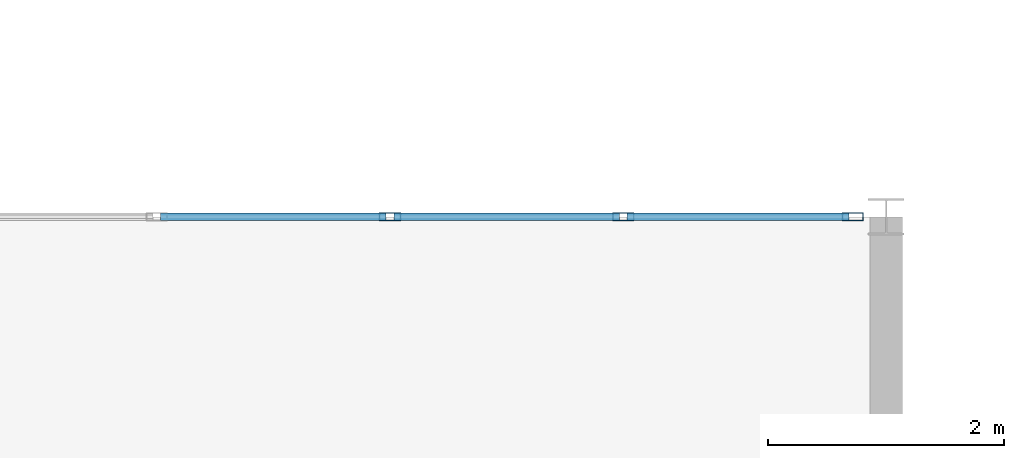
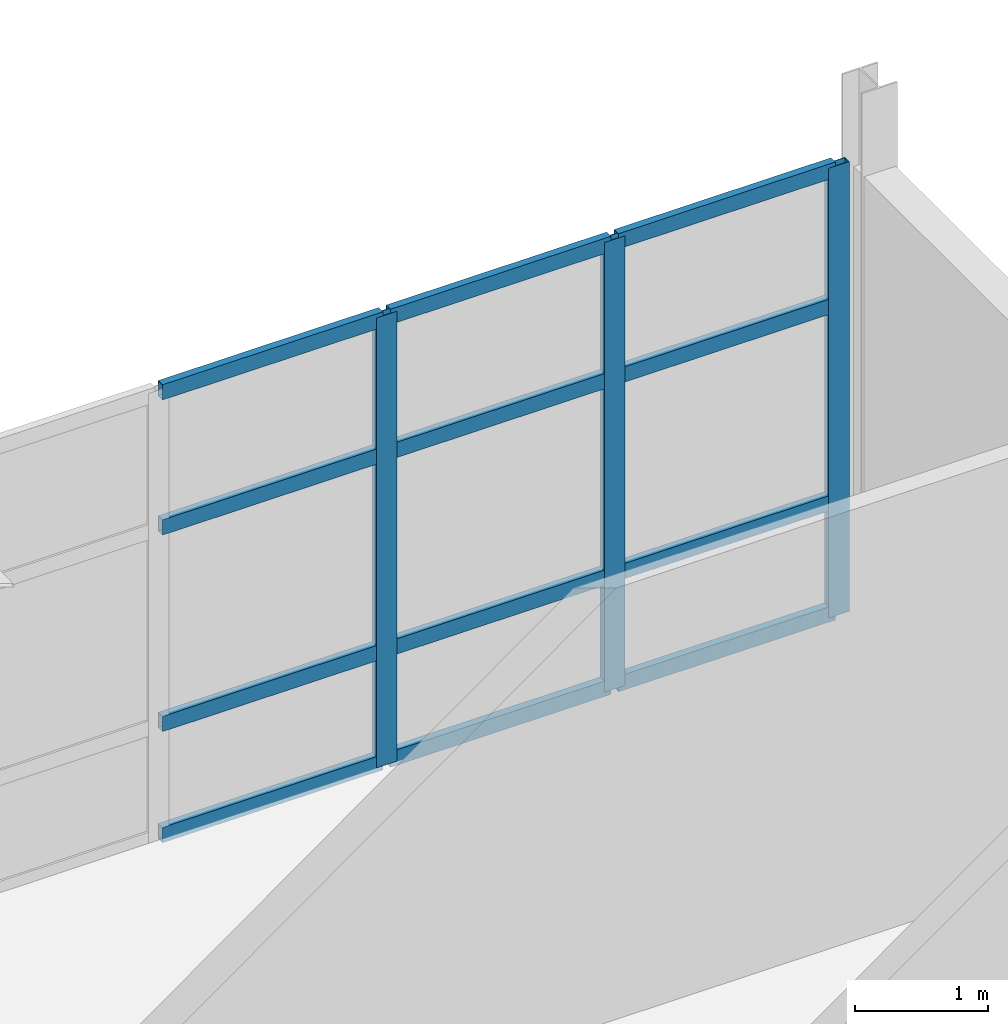
# One storey, part 51 of 105: 15 members, 1 element without a shape of its own.
"""IFC4 building model written with IfcOpenShell, lengths in metres."""

from ifc_helpers import new_model, si_unit, direction, frame, origin, origin_2d, place, context, subcontext, project, spatial, hollow_rectangle, extrude, material, layer, layer_set, material_profile, profile_set, type_object, element, aggregate, save


model = new_model("IFC4")

# Units and contexts
model_context = context("Model", 3, precision=1e-05, world=origin(), true_north=direction((0.0, 1.0)))
body_context = subcontext(model_context, "Body", "Model", "MODEL_VIEW")
ifc_project = project(units=[si_unit("LENGTHUNIT", "METRE"), si_unit("AREAUNIT", "SQUARE_METRE"), si_unit("VOLUMEUNIT", "CUBIC_METRE"), si_unit("PLANEANGLEUNIT", "RADIAN"), si_unit("MASSUNIT", "GRAM", prefix="KILO")], contexts=[model_context])

# Site, building, storey
site_placement = place(None, origin())
site = spatial("IfcSite", under=ifc_project, at=site_placement, CompositionType="ELEMENT")
building_placement = place(site_placement, origin())
building = spatial("IfcBuilding", under=site, at=building_placement, Name="Selat Folded Stagehouse", CompositionType="ELEMENT")
storey_placement = place(building_placement, frame((0.0, 0.0, 10.199951171875)))
storey = spatial("IfcBuildingStorey", under=building, at=storey_placement, Name="L02", CompositionType="ELEMENT", Elevation=10.199951171875)

# Curtain wall, members
ifc_material = material(Name="Aluminium 6063-T6", Category="aluminium")
ifc_layer = layer(ifc_material, 0.195068359375)
ifc_layer_set = layer_set([ifc_layer], Name="Aluminium 6063-T6")
curtain_wall_type = type_object("IfcCurtainWallType", Name="CW-FYR-COURT", PredefinedType="NOTDEFINED", material=ifc_layer_set)
curtain_wall_placement = place(storey_placement, origin())
curtain_wall = element("IfcCurtainWall", 1, at=curtain_wall_placement, inside=storey, type_object=curtain_wall_type, Name="L02 curtain wall CW-FYR-L02-13", PredefinedType="NOTDEFINED")
ifc_material_profile_1 = material_profile(ifc_material, hollow_rectangle(XDim=0.06494140625, YDim=0.179931640625, WallThickness=0.00390625, at=origin_2d()), Name="ALU 180x65x4.0")
ifc_profile_set_1 = profile_set([ifc_material_profile_1], Name="Aluminium 6063-T6")
member_type_1 = type_object("IfcMemberType", Name="CWM-MUL-180x65", PredefinedType="MULLION", material=ifc_profile_set_1)
member_1_placement = place(storey_placement, frame((113.39990234375, 17.800048828125, 0.0), z_axis=(0.0, 0.0, 1.0), x_axis=(0.0, 1.0, 0.0)))
member_1 = element("IfcMember", 2, at=member_1_placement, type_object=member_type_1, Name="CW-05 mullion 3", PredefinedType="MULLION", context=body_context, shape_type="SweptSolid", body=[
    extrude(hollow_rectangle(XDim=0.06494140625, YDim=0.179931640625, WallThickness=0.00390625, at=origin_2d()), origin(), (0.0, 0.0, 1.0), 4.1201171875),
])
member_2_placement = place(storey_placement, frame((115.375, 17.800048828125, 0.0), z_axis=(0.0, 0.0, 1.0), x_axis=(0.0, 1.0, 0.0)))
member_2 = element("IfcMember", 3, at=member_2_placement, type_object=member_type_1, Name="CW-05 mullion 4", PredefinedType="MULLION", context=body_context, shape_type="SweptSolid", body=[
    extrude(hollow_rectangle(XDim=0.06494140625, YDim=0.179931640625, WallThickness=0.00390625, at=origin_2d()), origin(), (0.0, 0.0, 1.0), 4.1201171875),
])
member_3_placement = place(storey_placement, frame((117.3173828125, 17.800048828125, 0.0), z_axis=(0.0, 0.0, 1.0), x_axis=(0.0, 1.0, 0.0)))
member_3 = element("IfcMember", 4, at=member_3_placement, type_object=member_type_1, Name="CW-05 mullion 5", PredefinedType="MULLION", context=body_context, shape_type="SweptSolid", body=[
    extrude(hollow_rectangle(XDim=0.06494140625, YDim=0.179931640625, WallThickness=0.00390625, at=origin_2d()), origin(), (0.0, 0.0, 1.0), 4.1201171875),
])
ifc_material_profile_2 = material_profile(ifc_material, hollow_rectangle(XDim=0.06494140625, YDim=0.139892578125, WallThickness=0.00390625, at=origin_2d()), Name="ALU 140x65x4.0")
ifc_profile_set_2 = profile_set([ifc_material_profile_2], Name="Aluminium 6063-T6")
member_type_2 = type_object("IfcMemberType", Name="CWM-TRN-140x65", PredefinedType="USERDEFINED", material=ifc_profile_set_2)
member_4_placement = place(storey_placement, frame((111.45751953125, 17.800048828125, 0.032470703125), z_axis=(1.0, 0.0, 0.0), x_axis=(0.0, 1.0, 0.0)))
member_4 = element("IfcMember", 5, at=member_4_placement, type_object=member_type_2, Name="CW-05 transom 2.1", ObjectType="TRANSOM", PredefinedType="USERDEFINED", context=body_context, shape_type="SweptSolid", body=[
    extrude(hollow_rectangle(XDim=0.06494140625, YDim=0.139892578125, WallThickness=0.00390625, at=origin_2d()), origin(), (0.0, 0.0, 1.0), 1.909912109375),
])
member_5_placement = place(storey_placement, frame((111.45751953125, 17.800048828125, 1.050048828125), z_axis=(1.0, 0.0, 0.0), x_axis=(0.0, 1.0, 0.0)))
member_5 = element("IfcMember", 6, at=member_5_placement, type_object=member_type_2, Name="CW-05 transom 2.2", ObjectType="TRANSOM", PredefinedType="USERDEFINED", context=body_context, shape_type="SweptSolid", body=[
    extrude(hollow_rectangle(XDim=0.06494140625, YDim=0.139892578125, WallThickness=0.00390625, at=origin_2d()), origin(), (0.0, 0.0, 1.0), 1.909912109375),
])
member_6_placement = place(storey_placement, frame((111.45751953125, 17.800048828125, 2.85009765625), z_axis=(1.0, 0.0, 0.0), x_axis=(0.0, 1.0, 0.0)))
member_6 = element("IfcMember", 7, at=member_6_placement, type_object=member_type_2, Name="CW-05 transom 2.3", ObjectType="TRANSOM", PredefinedType="USERDEFINED", context=body_context, shape_type="SweptSolid", body=[
    extrude(hollow_rectangle(XDim=0.06494140625, YDim=0.139892578125, WallThickness=0.00390625, at=origin_2d()), origin(), (0.0, 0.0, 1.0), 1.909912109375),
])
member_7_placement = place(storey_placement, frame((111.45751953125, 17.800048828125, 4.087646484375), z_axis=(1.0, 0.0, 0.0), x_axis=(0.0, 1.0, 0.0)))
member_7 = element("IfcMember", 8, at=member_7_placement, type_object=member_type_2, Name="CW-05 transom 2.4", ObjectType="TRANSOM", PredefinedType="USERDEFINED", context=body_context, shape_type="SweptSolid", body=[
    extrude(hollow_rectangle(XDim=0.06494140625, YDim=0.139892578125, WallThickness=0.00390625, at=origin_2d()), origin(), (0.0, 0.0, 1.0), 1.909912109375),
])
member_8_placement = place(storey_placement, frame((113.4326171875, 17.800048828125, 0.032470703125), z_axis=(1.0, 0.0, 0.0), x_axis=(0.0, 1.0, 0.0)))
member_8 = element("IfcMember", 9, at=member_8_placement, type_object=member_type_2, Name="CW-05 transom 3.1", ObjectType="TRANSOM", PredefinedType="USERDEFINED", context=body_context, shape_type="SweptSolid", body=[
    extrude(hollow_rectangle(XDim=0.06494140625, YDim=0.139892578125, WallThickness=0.00390625, at=origin_2d()), origin(), (0.0, 0.0, 1.0), 1.909912109375),
])
member_9_placement = place(storey_placement, frame((113.4326171875, 17.800048828125, 1.050048828125), z_axis=(1.0, 0.0, 0.0), x_axis=(0.0, 1.0, 0.0)))
member_9 = element("IfcMember", 10, at=member_9_placement, type_object=member_type_2, Name="CW-05 transom 3.2", ObjectType="TRANSOM", PredefinedType="USERDEFINED", context=body_context, shape_type="SweptSolid", body=[
    extrude(hollow_rectangle(XDim=0.06494140625, YDim=0.139892578125, WallThickness=0.00390625, at=origin_2d()), origin(), (0.0, 0.0, 1.0), 1.909912109375),
])
member_10_placement = place(storey_placement, frame((113.4326171875, 17.800048828125, 2.85009765625), z_axis=(1.0, 0.0, 0.0), x_axis=(0.0, 1.0, 0.0)))
member_10 = element("IfcMember", 11, at=member_10_placement, type_object=member_type_2, Name="CW-05 transom 3.3", ObjectType="TRANSOM", PredefinedType="USERDEFINED", context=body_context, shape_type="SweptSolid", body=[
    extrude(hollow_rectangle(XDim=0.06494140625, YDim=0.139892578125, WallThickness=0.00390625, at=origin_2d()), origin(), (0.0, 0.0, 1.0), 1.909912109375),
])
member_11_placement = place(storey_placement, frame((113.4326171875, 17.800048828125, 4.087646484375), z_axis=(1.0, 0.0, 0.0), x_axis=(0.0, 1.0, 0.0)))
member_11 = element("IfcMember", 12, at=member_11_placement, type_object=member_type_2, Name="CW-05 transom 3.4", ObjectType="TRANSOM", PredefinedType="USERDEFINED", context=body_context, shape_type="SweptSolid", body=[
    extrude(hollow_rectangle(XDim=0.06494140625, YDim=0.139892578125, WallThickness=0.00390625, at=origin_2d()), origin(), (0.0, 0.0, 1.0), 1.909912109375),
])
member_12_placement = place(storey_placement, frame((115.407470703125, 17.800048828125, 0.032470703125), z_axis=(1.0, 0.0, 0.0), x_axis=(0.0, 1.0, 0.0)))
member_12 = element("IfcMember", 13, at=member_12_placement, type_object=member_type_2, Name="CW-05 transom 4.1", ObjectType="TRANSOM", PredefinedType="USERDEFINED", context=body_context, shape_type="SweptSolid", body=[
    extrude(hollow_rectangle(XDim=0.06494140625, YDim=0.139892578125, WallThickness=0.00390625, at=origin_2d()), origin(), (0.0, 0.0, 1.0), 1.87744140625),
])
member_13_placement = place(storey_placement, frame((115.407470703125, 17.800048828125, 1.050048828125), z_axis=(1.0, 0.0, 0.0), x_axis=(0.0, 1.0, 0.0)))
member_13 = element("IfcMember", 14, at=member_13_placement, type_object=member_type_2, Name="CW-05 transom 4.2", ObjectType="TRANSOM", PredefinedType="USERDEFINED", context=body_context, shape_type="SweptSolid", body=[
    extrude(hollow_rectangle(XDim=0.06494140625, YDim=0.139892578125, WallThickness=0.00390625, at=origin_2d()), origin(), (0.0, 0.0, 1.0), 1.87744140625),
])
member_14_placement = place(storey_placement, frame((115.407470703125, 17.800048828125, 2.85009765625), z_axis=(1.0, 0.0, 0.0), x_axis=(0.0, 1.0, 0.0)))
member_14 = element("IfcMember", 15, at=member_14_placement, type_object=member_type_2, Name="CW-05 transom 4.3", ObjectType="TRANSOM", PredefinedType="USERDEFINED", context=body_context, shape_type="SweptSolid", body=[
    extrude(hollow_rectangle(XDim=0.06494140625, YDim=0.139892578125, WallThickness=0.00390625, at=origin_2d()), origin(), (0.0, 0.0, 1.0), 1.87744140625),
])
member_15_placement = place(storey_placement, frame((115.407470703125, 17.800048828125, 4.087646484375), z_axis=(1.0, 0.0, 0.0), x_axis=(0.0, 1.0, 0.0)))
member_15 = element("IfcMember", 16, at=member_15_placement, type_object=member_type_2, Name="CW-05 transom 4.4", ObjectType="TRANSOM", PredefinedType="USERDEFINED", context=body_context, shape_type="SweptSolid", body=[
    extrude(hollow_rectangle(XDim=0.06494140625, YDim=0.139892578125, WallThickness=0.00390625, at=origin_2d()), origin(), (0.0, 0.0, 1.0), 1.87744140625),
])
aggregate(curtain_wall, [member_1, member_2, member_3, member_4, member_5, member_6, member_7, member_8, member_9, member_10, member_11, member_12, member_13, member_14, member_15])

save(model, "model.ifc")
